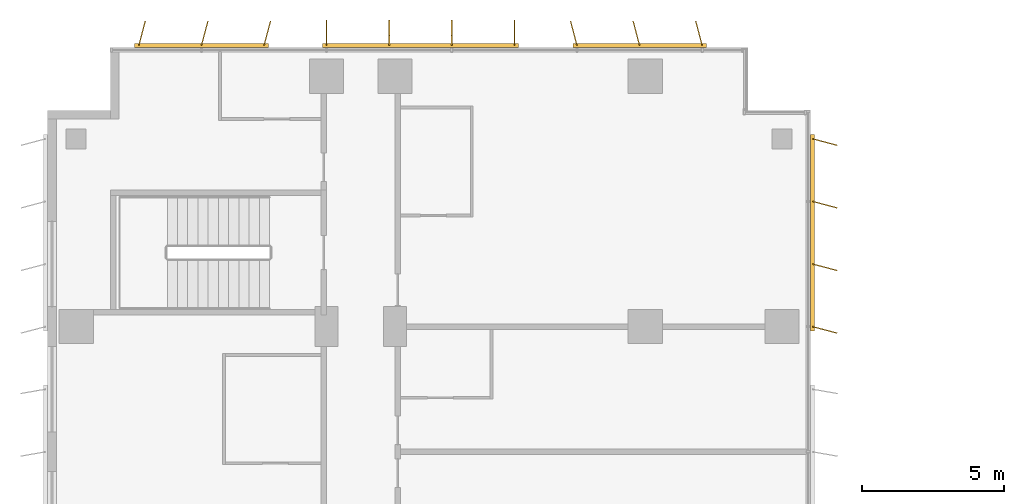
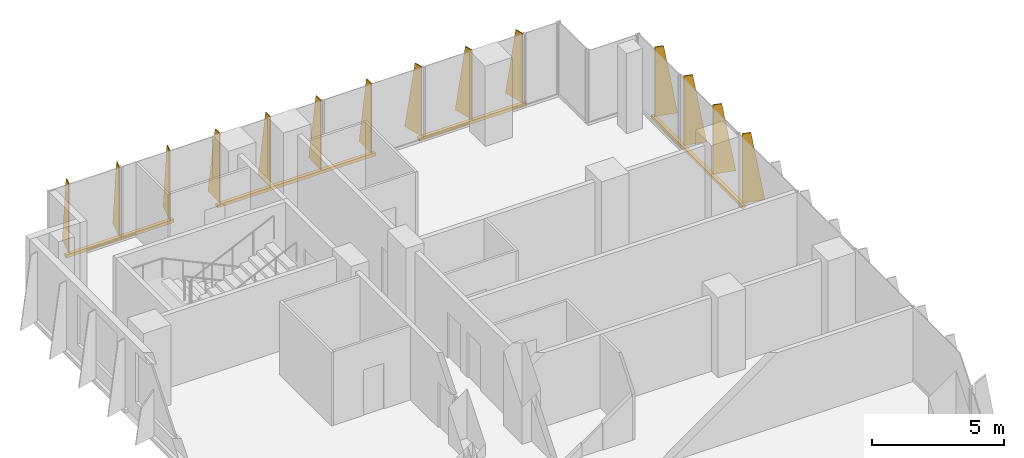
# One storey, part 22 of 22: 4 shading devices.
"""IFC4 building model written with IfcOpenShell, lengths in metres."""

from ifc_helpers import new_model, si_unit, direction, frame, origin, origin_2d, place, context, subcontext, project, spatial, polyline, rectangle, outline, extrude, source, transform, mapped, material, layer, layer_set, type_object, element, save


model = new_model("IFC4")

# Units and contexts
model_context = context("Model", 3, precision=1e-05, world=origin(), true_north=direction((0.0, 1.0)))
body_context = subcontext(model_context, "Body", "Model", "MODEL_VIEW")
ifc_project = project(units=[si_unit("LENGTHUNIT", "METRE"), si_unit("AREAUNIT", "SQUARE_METRE"), si_unit("VOLUMEUNIT", "CUBIC_METRE"), si_unit("PLANEANGLEUNIT", "RADIAN"), si_unit("MASSUNIT", "GRAM", prefix="KILO")], contexts=[model_context])

# Site, building, storey
site_placement = place(None, origin())
site = spatial("IfcSite", under=ifc_project, at=site_placement, CompositionType="ELEMENT")
building_placement = place(site_placement, origin())
building = spatial("IfcBuilding", under=site, at=building_placement, Name="Kemantara Hotel Tower", CompositionType="ELEMENT")
storey_placement = place(building_placement, frame((0.0, 0.0, 94.5)))
storey = spatial("IfcBuildingStorey", under=building, at=storey_placement, Name="L22", CompositionType="ELEMENT", Elevation=94.5)

# Shading devices
ifc_material = material(Name="Perforated aluminium plate 4 mm bronze anodised", Category="aluminium")
ifc_layer_1 = layer(ifc_material, 0.0400390625)
ifc_layer_set_1 = layer_set([ifc_layer_1], Name="Perforated aluminium plate 4 mm bronze anodised")
shading_device_type_1 = type_object("IfcShadingDeviceType", Name="SCREEN FIN CASSETTE, 3 BLADES AT -15.0 DEG, 3200 HIGH", PredefinedType="USERDEFINED", material=ifc_layer_set_1)
shared_shape_1 = source(origin(), body_context, "Body", "SweptSolid", [
    extrude(rectangle(XDim=4.699951171875, YDim=0.14990234375, at=origin_2d()), frame((2.199951171875, -0.074951171875, -0.14990234375), z_axis=(0.0, 0.0, 1.0), x_axis=(1.0, 0.0, 0.0)), (0.0, 0.0, 1.0), 0.14990234375),
    extrude(outline(polyline([(0.0, 0.0), (0.89990234375, 0.0), (0.35009765625, 3.199951171875), (0.0, 3.199951171875), (0.0, 0.0)])), frame((0.019287109375, -0.080078125, 0.0), z_axis=(-0.966437683387, 0.256901156343, 0.0), x_axis=(-0.256901156343, -0.966437683387, 0.0)), (0.0, 0.0, 1.0), 0.039794921875),
    extrude(outline(polyline([(0.0, 0.0), (0.89990234375, 0.0), (0.35009765625, 3.199951171875), (0.0, 3.199951171875), (0.0, 0.0)])), frame((2.21923828125, -0.080078125, 0.0), z_axis=(-0.966437683387, 0.256901156343, 0.0), x_axis=(-0.256901156343, -0.966437683387, 0.0)), (0.0, 0.0, 1.0), 0.039794921875),
    extrude(outline(polyline([(0.0, 0.0), (0.89990234375, 0.0), (0.35009765625, 3.199951171875), (0.0, 3.199951171875), (0.0, 0.0)])), frame((4.41943359375, -0.080078125, 0.0), z_axis=(-0.966837822169, 0.255391122837, 0.0), x_axis=(-0.255391122837, -0.966837822169, 0.0)), (0.0, 0.0, 1.0), 0.0400390625),
])
shading_device_1_placement = place(storey_placement, frame((7.60009765625, 81.199951171875, 0.10009765625), z_axis=(0.0, 0.0, 1.0), x_axis=(-1.0, 0.0, 0.0)))
element("IfcShadingDevice", 1, at=shading_device_1_placement, inside=storey, type_object=shading_device_type_1, Name="SCREEN FIN CASSETTE L22 T2-R01-3", ObjectType="SCREEN FIN", PredefinedType="USERDEFINED", context=body_context, shape_type="MappedRepresentation", body=[
    mapped(shared_shape_1, transform((0.0, 0.0, 0.0))),
])
ifc_layer_2 = layer(ifc_material, 0.0400390625)
ifc_layer_set_2 = layer_set([ifc_layer_2], Name="Perforated aluminium plate 4 mm bronze anodised")
shading_device_type_2 = type_object("IfcShadingDeviceType", Name="SCREEN FIN CASSETTE, 4 BLADES AT +0.0 DEG, 3200 HIGH", PredefinedType="USERDEFINED", material=ifc_layer_set_2)
shared_shape_2 = source(origin(), body_context, "Body", "SweptSolid", [
    extrude(rectangle(XDim=6.89990234375, YDim=0.14990234375, at=origin_2d()), frame((3.300048828125, -0.074951171875, -0.14990234375), z_axis=(0.0, 0.0, 1.0), x_axis=(1.0, 0.0, 0.0)), (0.0, 0.0, 1.0), 0.14990234375),
    extrude(outline(polyline([(0.0, 0.0), (0.89990234375, 0.0), (0.35009765625, 3.199951171875), (0.0, 3.199951171875), (0.0, 0.0)])), frame((0.02001953125, -0.074951171875, 0.0), z_axis=(-1.0, 0.0, 0.0), x_axis=(0.0, -1.0, 0.0)), (0.0, 0.0, 1.0), 0.0400390625),
    extrude(outline(polyline([(0.0, 0.0), (0.89990234375, 0.0), (0.35009765625, 3.199951171875), (0.0, 3.199951171875), (0.0, 0.0)])), frame((2.219970703125, -0.074951171875, 0.0), z_axis=(-1.0, 0.0, 0.0), x_axis=(0.0, -1.0, 0.0)), (0.0, 0.0, 1.0), 0.0400390625),
    extrude(outline(polyline([(0.0, 0.0), (0.89990234375, 0.0), (0.35009765625, 3.199951171875), (0.0, 3.199951171875), (0.0, 0.0)])), frame((4.419921875, -0.074951171875, 0.0), z_axis=(-1.0, 0.0, 0.0), x_axis=(0.0, -1.0, 0.0)), (0.0, 0.0, 1.0), 0.0400390625),
    extrude(outline(polyline([(0.0, 0.0), (0.89990234375, 0.0), (0.35009765625, 3.199951171875), (0.0, 3.199951171875), (0.0, 0.0)])), frame((6.6201171875, -0.074951171875, 0.0), z_axis=(-1.0, 0.0, 0.0), x_axis=(0.0, -1.0, 0.0)), (0.0, 0.0, 1.0), 0.0400390625),
])
shading_device_2_placement = place(storey_placement, frame((16.39990234375, 81.199951171875, 0.10009765625), z_axis=(0.0, 0.0, 1.0), x_axis=(-1.0, 0.0, 0.0)))
element("IfcShadingDevice", 2, at=shading_device_2_placement, inside=storey, type_object=shading_device_type_2, Name="SCREEN FIN CASSETTE L22 T2-R01-2", ObjectType="SCREEN FIN", PredefinedType="USERDEFINED", context=body_context, shape_type="MappedRepresentation", body=[
    mapped(shared_shape_2, transform((0.0, 0.0, 0.0))),
])
ifc_layer_3 = layer(ifc_material, 0.0400390625)
ifc_layer_set_3 = layer_set([ifc_layer_3], Name="Perforated aluminium plate 4 mm bronze anodised")
shading_device_type_3 = type_object("IfcShadingDeviceType", Name="SCREEN FIN CASSETTE, 3 BLADES AT +15.0 DEG, 3200 HIGH", PredefinedType="USERDEFINED", material=ifc_layer_set_3)
shared_shape_3 = source(origin(), body_context, "Body", "SweptSolid", [
    extrude(rectangle(XDim=4.699951171875, YDim=0.14990234375, at=origin_2d()), frame((2.199951171875, -0.074951171875, -0.14990234375), z_axis=(0.0, 0.0, 1.0), x_axis=(1.0, 0.0, 0.0)), (0.0, 0.0, 1.0), 0.14990234375),
    extrude(outline(polyline([(0.0, 0.0), (0.89990234375, 0.0), (0.35009765625, 3.199951171875), (0.0, 3.199951171875), (0.0, 0.0)])), frame((0.019287109375, -0.06982421875, 0.0), z_axis=(-0.966437683387, -0.256901156343, 0.0), x_axis=(0.256901156343, -0.966437683387, 0.0)), (0.0, 0.0, 1.0), 0.039794921875),
    extrude(outline(polyline([(0.0, 0.0), (0.89990234375, 0.0), (0.35009765625, 3.199951171875), (0.0, 3.199951171875), (0.0, 0.0)])), frame((2.21923828125, -0.06982421875, 0.0), z_axis=(-0.966437683387, -0.256901156343, 0.0), x_axis=(0.256901156343, -0.966437683387, 0.0)), (0.0, 0.0, 1.0), 0.039794921875),
    extrude(outline(polyline([(0.0, 0.0), (0.89990234375, 0.0), (0.35009765625, 3.199951171875), (0.0, 3.199951171875), (0.0, 0.0)])), frame((4.41943359375, -0.06982421875, 0.0), z_axis=(-0.966837822169, -0.255391122837, 0.0), x_axis=(0.255391122837, -0.966837822169, 0.0)), (0.0, 0.0, 1.0), 0.0400390625),
])
shading_device_3_placement = place(storey_placement, frame((23.0, 81.199951171875, 0.10009765625), z_axis=(0.0, 0.0, 1.0), x_axis=(-1.0, 0.0, 0.0)))
element("IfcShadingDevice", 3, at=shading_device_3_placement, inside=storey, type_object=shading_device_type_3, Name="SCREEN FIN CASSETTE L22 T2-R01-1", ObjectType="SCREEN FIN", PredefinedType="USERDEFINED", context=body_context, shape_type="MappedRepresentation", body=[
    mapped(shared_shape_3, transform((0.0, 0.0, 0.0))),
])
ifc_layer_4 = layer(ifc_material, 0.0400390625)
ifc_layer_set_4 = layer_set([ifc_layer_4], Name="Perforated aluminium plate 4 mm bronze anodised")
shading_device_type_4 = type_object("IfcShadingDeviceType", Name="SCREEN FIN CASSETTE, 4 BLADES AT -15.0 DEG, 3200 HIGH", PredefinedType="USERDEFINED", material=ifc_layer_set_4)
shared_shape_4 = source(origin(), body_context, "Body", "SweptSolid", [
    extrude(rectangle(XDim=6.89990234375, YDim=0.14990234375, at=origin_2d()), frame((3.300048828125, -0.074951171875, -0.14990234375), z_axis=(0.0, 0.0, 1.0), x_axis=(1.0, 0.0, 0.0)), (0.0, 0.0, 1.0), 0.14990234375),
    extrude(outline(polyline([(0.0, 0.0), (0.89990234375, 0.0), (0.35009765625, 3.199951171875), (0.0, 3.199951171875), (0.0, 0.0)])), frame((0.019287109375, -0.080078125, 0.0), z_axis=(-0.966437683387, 0.256901156343, 0.0), x_axis=(-0.256901156343, -0.966437683387, 0.0)), (0.0, 0.0, 1.0), 0.039794921875),
    extrude(outline(polyline([(0.0, 0.0), (0.89990234375, 0.0), (0.35009765625, 3.199951171875), (0.0, 3.199951171875), (0.0, 0.0)])), frame((2.21923828125, -0.080078125, 0.0), z_axis=(-0.966437683387, 0.256901156343, 0.0), x_axis=(-0.256901156343, -0.966437683387, 0.0)), (0.0, 0.0, 1.0), 0.039794921875),
    extrude(outline(polyline([(0.0, 0.0), (0.89990234375, 0.0), (0.35009765625, 3.199951171875), (0.0, 3.199951171875), (0.0, 0.0)])), frame((4.41943359375, -0.080078125, 0.0), z_axis=(-0.966837822169, 0.255391122837, 0.0), x_axis=(-0.255391122837, -0.966837822169, 0.0)), (0.0, 0.0, 1.0), 0.0400390625),
    extrude(outline(polyline([(0.0, 0.0), (0.89990234375, 0.0), (0.35009765625, 3.199951171875), (0.0, 3.199951171875), (0.0, 0.0)])), frame((6.619384765625, -0.080078125, 0.0), z_axis=(-0.966837822169, 0.255391122837, 0.0), x_axis=(-0.255391122837, -0.966837822169, 0.0)), (0.0, 0.0, 1.0), 0.0400390625),
])
shading_device_4_placement = place(storey_placement, frame((26.800048828125, 71.39990234375, 0.10009765625), z_axis=(0.0, 0.0, 1.0), x_axis=(0.0, 1.0, 0.0)))
element("IfcShadingDevice", 4, at=shading_device_4_placement, inside=storey, type_object=shading_device_type_4, Name="SCREEN FIN CASSETTE L22 T2-R14-7", ObjectType="SCREEN FIN", PredefinedType="USERDEFINED", context=body_context, shape_type="MappedRepresentation", body=[
    mapped(shared_shape_4, transform((0.0, 0.0, 0.0))),
])

save(model, "model.ifc")
